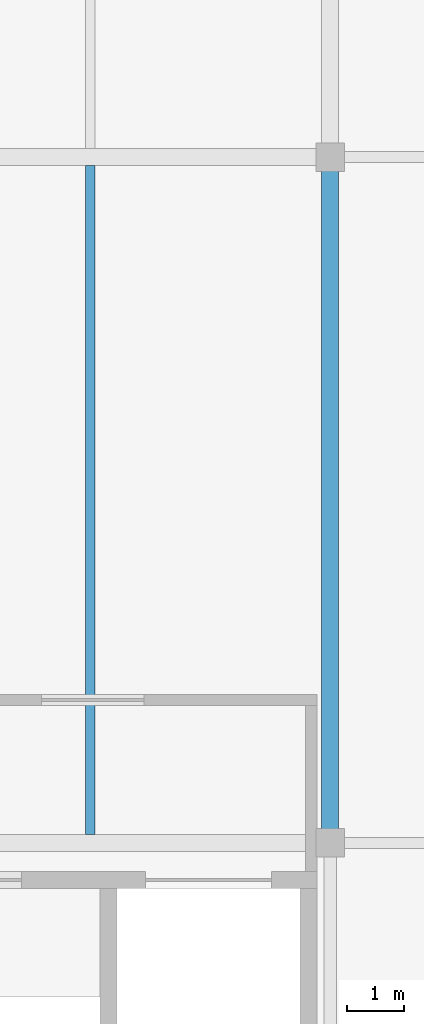
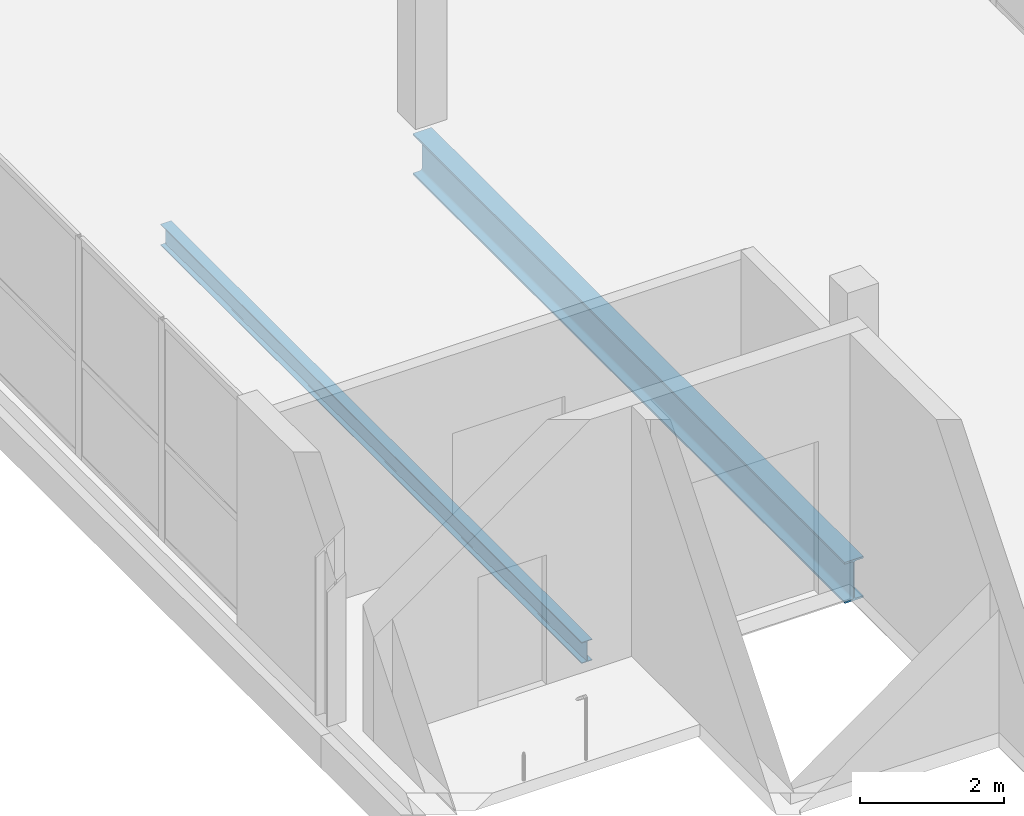
# One storey, part 79 of 103: 2 beams.
"""IFC4 building model written with IfcOpenShell, lengths in metres."""

from ifc_helpers import new_model, si_unit, direction, frame, origin, origin_2d, place, context, subcontext, project, spatial, i_section, extrude, material, material_profile, profile_set, type_object, element, save


model = new_model("IFC4")

# Units and contexts
model_context = context("Model", 3, precision=1e-05, world=origin(), true_north=direction((0.0, 1.0)))
body_context = subcontext(model_context, "Body", "Model", "MODEL_VIEW")
ifc_project = project(units=[si_unit("LENGTHUNIT", "METRE"), si_unit("AREAUNIT", "SQUARE_METRE"), si_unit("VOLUMEUNIT", "CUBIC_METRE"), si_unit("PLANEANGLEUNIT", "RADIAN"), si_unit("MASSUNIT", "GRAM", prefix="KILO")], contexts=[model_context])

# Site, building, storey
site_placement = place(None, origin())
site = spatial("IfcSite", under=ifc_project, at=site_placement, CompositionType="ELEMENT")
building_placement = place(site_placement, origin())
building = spatial("IfcBuilding", under=site, at=building_placement, Name="Veltarok Museum of Natural Sciences", CompositionType="ELEMENT")
storey_placement = place(building_placement, frame((0.0, 0.0, 21.89990234375)))
storey = spatial("IfcBuildingStorey", under=building, at=storey_placement, Name="L04", CompositionType="ELEMENT", Elevation=21.89990234375)

# Beams
ifc_material = material(Name="Steel S355J2", Category="steel")
ifc_material_profile_1 = material_profile(ifc_material, i_section(OverallWidth=0.169921875, OverallDepth=0.360107421875, WebThickness=0.008056640625, FlangeThickness=0.0126953125, FilletRadius=0.01806640625, at=origin_2d()), Name="IPE 360")
ifc_profile_set_1 = profile_set([ifc_material_profile_1], Name="Steel S355J2")
beam_type_1 = type_object("IfcBeamType", Name="Long-Bay Composite Joist IPE 360", PredefinedType="JOIST", material=ifc_profile_set_1)
beam_1_placement = place(storey_placement, frame((136.60009765625, 36.14794921875, -0.429931640625), z_axis=(0.0, 1.0, 0.0), x_axis=(-1.0, 0.0, 0.0)))
element("IfcBeam", 1, at=beam_1_placement, inside=storey, type_object=beam_type_1, Name="Secondary Joist BM-J01 L04 16-17/E-F.1", PredefinedType="JOIST", context=body_context, shape_type="SweptSolid", body=[
    extrude(i_section(OverallWidth=0.169921875, OverallDepth=0.360107421875, WebThickness=0.008056640625, FlangeThickness=0.0126953125, FilletRadius=0.01806640625, at=origin_2d()), origin(), (0.0, 0.0, 1.0), 11.7041015625),
])
ifc_material_profile_2 = material_profile(ifc_material, i_section(OverallWidth=0.300048828125, OverallDepth=0.699951171875, WebThickness=0.01708984375, FlangeThickness=0.031982421875, FilletRadius=0.027099609375, at=origin_2d()), Name="HEB 700")
ifc_profile_set_2 = profile_set([ifc_material_profile_2], Name="Steel S355J2")
beam_type_2 = type_object("IfcBeamType", Name="Long-Span Hall Girder HEB 700", PredefinedType="BEAM", material=ifc_profile_set_2)
beam_2_placement = place(storey_placement, frame((140.800048828125, 36.0, -0.599853515625), z_axis=(0.0, 1.0, 0.0), x_axis=(-1.0, 0.0, 0.0)))
element("IfcBeam", 2, at=beam_2_placement, inside=storey, type_object=beam_type_2, Name="Beam BM-G01 L04 17/E-F", PredefinedType="BEAM", context=body_context, shape_type="SweptSolid", body=[
    extrude(i_section(OverallWidth=0.300048828125, OverallDepth=0.699951171875, WebThickness=0.01708984375, FlangeThickness=0.031982421875, FilletRadius=0.027099609375, at=origin_2d()), origin(), (0.0, 0.0, 1.0), 12.0),
])

save(model, "model.ifc")
